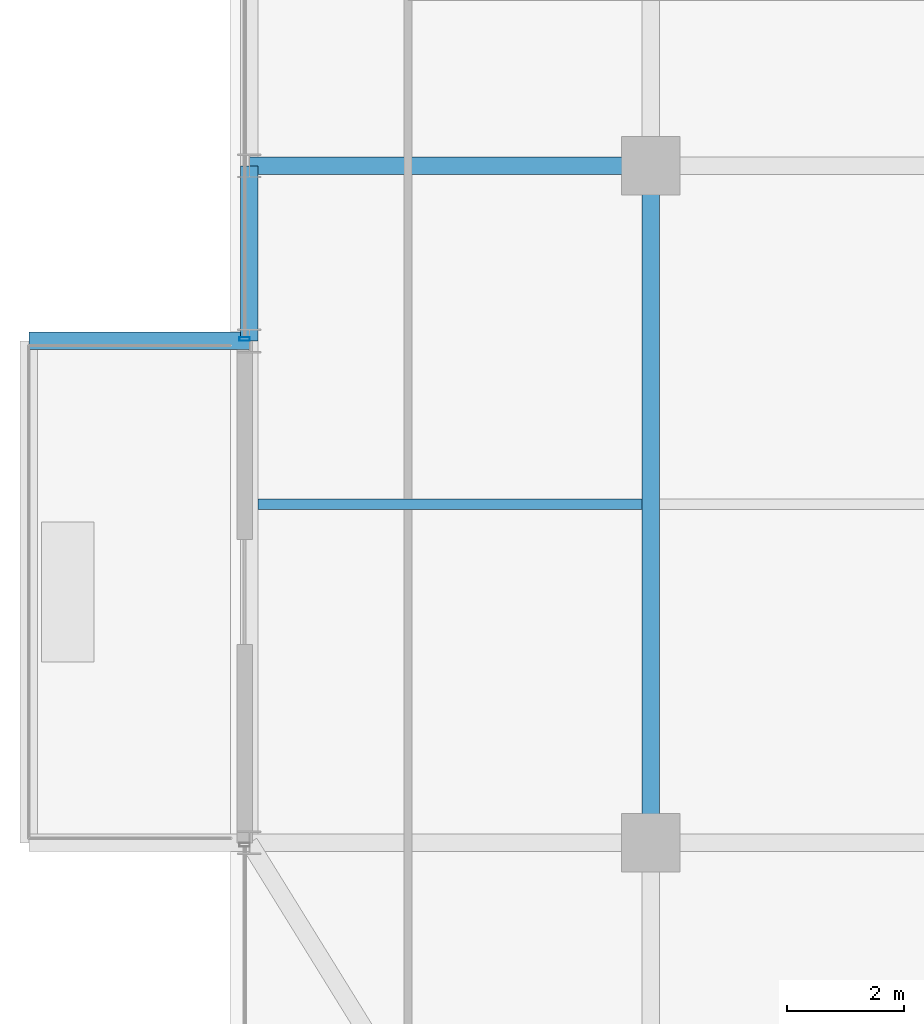
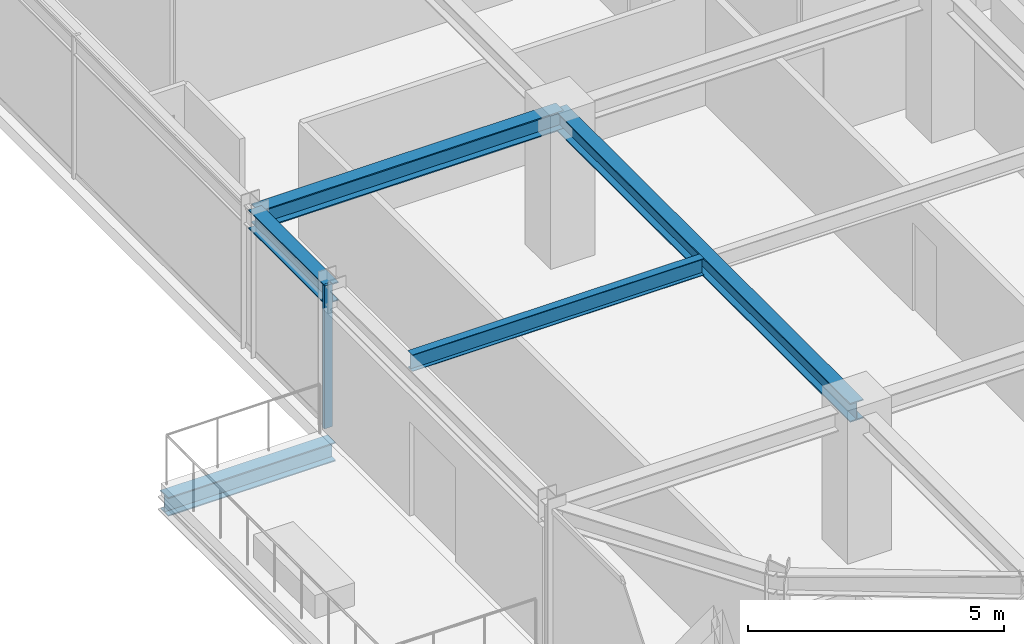
# One storey, part 8 of 35: 5 beams, 1 member, 1 element without a shape of its own.
"""IFC4 building model written with IfcOpenShell, lengths in metres."""

from ifc_helpers import new_model, si_unit, direction, frame, origin, origin_2d, place, context, subcontext, project, spatial, hollow_rectangle, i_section, extrude, source, transform, mapped, material, material_profile, profile_set, type_object, element, aggregate, save


model = new_model("IFC4")

# Units and contexts
model_context = context("Model", 3, precision=1e-05, world=origin(), true_north=direction((0.0, 1.0)))
body_context = subcontext(model_context, "Body", "Model", "MODEL_VIEW")
ifc_project = project(units=[si_unit("LENGTHUNIT", "METRE"), si_unit("AREAUNIT", "SQUARE_METRE"), si_unit("VOLUMEUNIT", "CUBIC_METRE"), si_unit("PLANEANGLEUNIT", "RADIAN"), si_unit("MASSUNIT", "GRAM", prefix="KILO")], contexts=[model_context])

# Site, building, storey
site_placement = place(None, origin())
site = spatial("IfcSite", under=ifc_project, at=site_placement, CompositionType="ELEMENT")
building_placement = place(site_placement, origin())
building = spatial("IfcBuilding", under=site, at=building_placement, Name="Nahalor Promenade Grand Hotel", CompositionType="ELEMENT")
storey_placement = place(building_placement, frame((0.0, 0.0, 245.60009765625)))
storey = spatial("IfcBuildingStorey", under=building, at=storey_placement, Name="L63", CompositionType="ELEMENT", Elevation=245.60009765625)

# Beams
ifc_material_1 = material(Name="Steel S355JR", Category="steel")
ifc_material_profile_1 = material_profile(ifc_material_1, i_section(OverallWidth=0.3, OverallDepth=0.45, WebThickness=0.014, FlangeThickness=0.026, at=origin_2d()), Name="HEB 450")
ifc_profile_set_1 = profile_set([ifc_material_profile_1], Name="Steel S355JR")
beam_type_1 = type_object("IfcBeamType", Name="Beam-Outrigger-HEB450", PredefinedType="BEAM", material=ifc_profile_set_1)
shared_shape_1 = source(origin(), body_context, "Body", "SweptSolid", [
    extrude(i_section(OverallWidth=0.3, OverallDepth=0.45, WebThickness=0.014, FlangeThickness=0.026, at=origin_2d()), origin(), (0.0, 0.0, 1.0), 3.780029296875),
])
beam_1_placement = place(storey_placement, frame((-27.659912109375, -8.39990234375, -0.505126953125), z_axis=(1.0, 0.0, 0.0), x_axis=(0.0, 1.0, 0.0)))
element("IfcBeam", 1, at=beam_1_placement, inside=storey, type_object=beam_type_1, Name="BM-L63-BC-02-2", PredefinedType="BEAM", context=body_context, shape_type="MappedRepresentation", body=[
    mapped(shared_shape_1, transform((0.0, 0.0, 0.0), scale=1.0)),
])
ifc_material_profile_2 = material_profile(ifc_material_1, i_section(OverallWidth=0.3, OverallDepth=0.45, WebThickness=0.014, FlangeThickness=0.026, at=origin_2d()), Name="HEB 450")
ifc_profile_set_2 = profile_set([ifc_material_profile_2], Name="Steel S355JR")
beam_type_2 = type_object("IfcBeamType", Name="Beam-Spandrel-HEB450", PredefinedType="SPANDREL", material=ifc_profile_set_2)
shared_shape_2 = source(origin(), body_context, "Body", "SweptSolid", [
    extrude(i_section(OverallWidth=0.3, OverallDepth=0.45, WebThickness=0.014, FlangeThickness=0.026, at=origin_2d()), origin(), (0.0, 0.0, 1.0), 3.0),
])
beam_2_placement = place(storey_placement, frame((-23.8798828125, -8.39990234375, 3.184814453125), z_axis=(0.0, 1.0, 0.0), x_axis=(-1.0, 0.0, 0.0)))
element("IfcBeam", 2, at=beam_2_placement, inside=storey, type_object=beam_type_2, Name="BM-L63-SP-W-1", PredefinedType="SPANDREL", context=body_context, shape_type="MappedRepresentation", body=[
    mapped(shared_shape_2, transform((0.0, 0.0, 0.0), scale=1.0)),
])
ifc_material_profile_3 = material_profile(ifc_material_1, i_section(OverallWidth=0.3, OverallDepth=0.45, WebThickness=0.014, FlangeThickness=0.026, at=origin_2d()), Name="HEB 450")
ifc_profile_set_3 = profile_set([ifc_material_profile_3], Name="Steel S355JR")
beam_type_3 = type_object("IfcBeamType", Name="Beam-Girder-HEB450", PredefinedType="BEAM", material=ifc_profile_set_3)
shared_shape_3 = source(origin(), body_context, "Body", "SweptSolid", [
    extrude(i_section(OverallWidth=0.3, OverallDepth=0.45, WebThickness=0.014, FlangeThickness=0.026, at=origin_2d()), origin(), (0.0, 0.0, 1.0), 6.8798828125),
])
beam_3_placement = place(storey_placement, frame((-23.8798828125, -5.39990234375, 3.184814453125), z_axis=(1.0, 0.0, 0.0), x_axis=(0.0, 1.0, 0.0)))
element("IfcBeam", 3, at=beam_3_placement, inside=storey, type_object=beam_type_3, Name="BM-L63-GX-1-0", PredefinedType="BEAM", context=body_context, shape_type="MappedRepresentation", body=[
    mapped(shared_shape_3, transform((0.0, 0.0, 0.0), scale=1.0)),
])
shared_shape_4 = source(origin(), body_context, "Body", "SweptSolid", [
    extrude(i_section(OverallWidth=0.3, OverallDepth=0.45, WebThickness=0.014, FlangeThickness=0.026, at=origin_2d()), origin(), (0.0, 0.0, 1.0), 11.60009765625),
])
beam_4_placement = place(storey_placement, frame((-17.0, -17.0, 3.184814453125), z_axis=(0.0, 1.0, 0.0), x_axis=(-1.0, 0.0, 0.0)))
element("IfcBeam", 4, at=beam_4_placement, inside=storey, type_object=beam_type_3, Name="BM-L63-GY-0-1", PredefinedType="BEAM", context=body_context, shape_type="MappedRepresentation", body=[
    mapped(shared_shape_4, transform((0.0, 0.0, 0.0), scale=1.0)),
])
ifc_material_profile_4 = material_profile(ifc_material_1, i_section(OverallWidth=0.18, OverallDepth=0.4, WebThickness=0.0086, FlangeThickness=0.0135, at=origin_2d()), Name="IPE 400")
ifc_profile_set_4 = profile_set([ifc_material_profile_4], Name="Steel S355JR")
beam_type_4 = type_object("IfcBeamType", Name="Beam-Joist-IPE400", PredefinedType="JOIST", material=ifc_profile_set_4)
shared_shape_5 = source(origin(), body_context, "Body", "SweptSolid", [
    extrude(i_section(OverallWidth=0.18, OverallDepth=0.4, WebThickness=0.0086, FlangeThickness=0.0135, at=origin_2d()), origin(), (0.0, 0.0, 1.0), 6.580078125),
])
beam_5_placement = place(storey_placement, frame((-23.72998046875, -11.199951171875, 3.2099609375), z_axis=(1.0, 0.0, 0.0), x_axis=(0.0, 1.0, 0.0)))
element("IfcBeam", 5, at=beam_5_placement, inside=storey, type_object=beam_type_4, Name="BM-L63-JSW-0-0", PredefinedType="JOIST", context=body_context, shape_type="MappedRepresentation", body=[
    mapped(shared_shape_5, transform((0.0, 0.0, 0.0), scale=1.0)),
])

# Curtain wall, member
ifc_material_2 = material(Name="Anodised Bronze Aluminium EN AW-6063 T6", Category="aluminium")
curtain_wall_type = type_object("IfcCurtainWallType", Name="CW2 Typical Hotel Flush Bronze Unitised Curtain Wall", PredefinedType="USERDEFINED", material=ifc_material_2)
curtain_wall_placement = place(storey_placement, origin())
curtain_wall = element("IfcCurtainWall", 6, at=curtain_wall_placement, inside=storey, type_object=curtain_wall_type, Name="L63 Curtain Wall CW-L63-W-3", ObjectType="UNITISED_CURTAIN_WALL", PredefinedType="USERDEFINED")
ifc_material_profile_5 = material_profile(ifc_material_2, hollow_rectangle(XDim=0.065, YDim=0.18, WallThickness=0.004, at=origin_2d()), Name="CWM 65x180x4")
ifc_profile_set_5 = profile_set([ifc_material_profile_5], Name="Anodised Bronze Aluminium EN AW-6063 T6")
member_type = type_object("IfcMemberType", Name="CWM2 Typical Bronze Mullion 65x180", PredefinedType="MULLION", material=ifc_profile_set_5)
shared_shape_6 = source(origin(), body_context, "Body", "SweptSolid", [
    extrude(hollow_rectangle(XDim=0.065, YDim=0.18, WallThickness=0.004, at=origin_2d()), origin(), (0.0, 0.0, 1.0), 3.409912109375),
])
member_placement = place(storey_placement, frame((-23.9599609375, -8.367431640625, 0.0), z_axis=(0.0, 0.0, 1.0), x_axis=(0.0, 1.0, 0.0)))
member = element("IfcMember", 7, at=member_placement, type_object=member_type, Name="CW-L63-W-3 Mullion 0", PredefinedType="MULLION", context=body_context, shape_type="MappedRepresentation", body=[
    mapped(shared_shape_6, transform((0.0, 0.0, 0.0), scale=1.0)),
])
aggregate(curtain_wall, [member])

save(model, "model.ifc")
